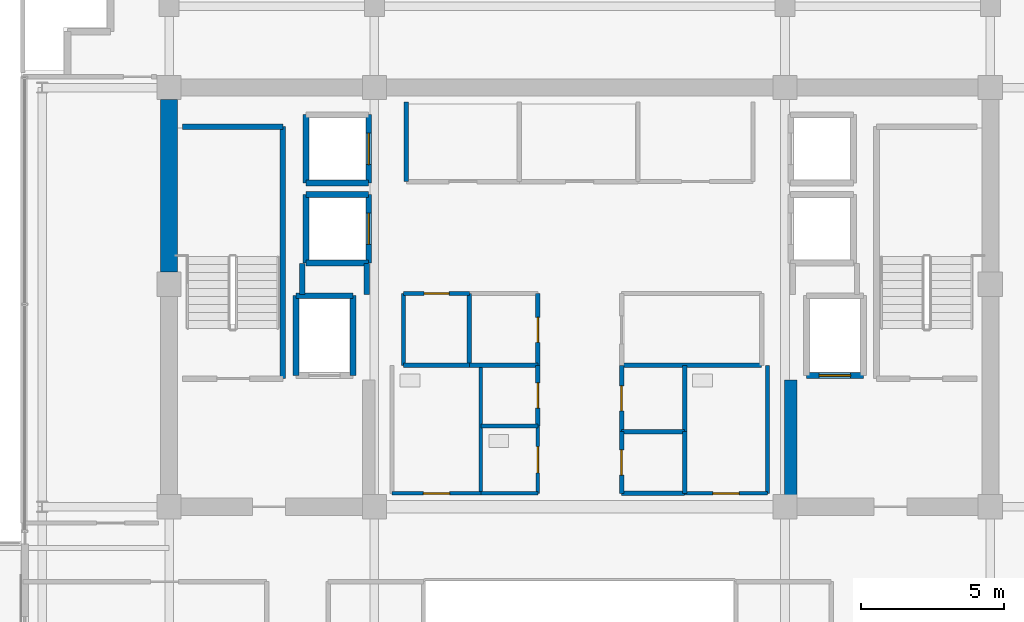
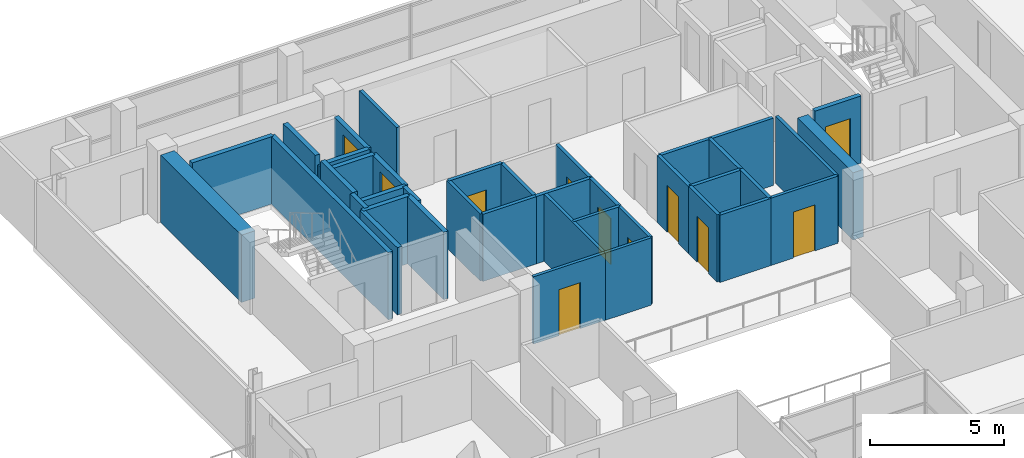
# One storey, part 16 of 21: 39 walls, 11 doors, 11 openings.
"""IFC4 building model written with IfcOpenShell, lengths in metres."""

from ifc_helpers import new_model, si_unit, direction, frame, frame_2d, origin, place, context, subcontext, project, spatial, rectangle, extrude, source, transform, mapped, material, layer, layer_set, type_object, element, fill, save


model = new_model("IFC4")

# Units and contexts
model_context = context("Model", 3, precision=1e-05, world=origin(), true_north=direction((0.0, 1.0)))
body_context = subcontext(model_context, "Body", "Model", "MODEL_VIEW")
ifc_project = project(units=[si_unit("LENGTHUNIT", "METRE"), si_unit("AREAUNIT", "SQUARE_METRE"), si_unit("VOLUMEUNIT", "CUBIC_METRE"), si_unit("PLANEANGLEUNIT", "RADIAN"), si_unit("MASSUNIT", "GRAM", prefix="KILO")], contexts=[model_context])

# Site, building, storey
site_placement = place(None, origin())
site = spatial("IfcSite", under=ifc_project, at=site_placement, CompositionType="ELEMENT")
building_placement = place(site_placement, origin())
building = spatial("IfcBuilding", under=site, at=building_placement, Name="Zarnakvel Exchange Tower", CompositionType="ELEMENT")
storey_placement = place(building_placement, frame((0.0, 0.0, 248.5)))
storey = spatial("IfcBuildingStorey", under=building, at=storey_placement, Name="L70", CompositionType="ELEMENT", Elevation=248.5)

# Walls
ifc_material_1 = material(Name="Concrete C50/60", Category="concrete")
ifc_layer_1 = layer(ifc_material_1, 0.60009765625)
ifc_layer_set_1 = layer_set([ifc_layer_1], Name="Concrete C50/60")
wall_type_1 = type_object("IfcWallType", Name="CW-C5", PredefinedType="SHEAR", material=ifc_layer_set_1)
wall_1_placement = place(storey_placement, frame((-14.39990234375, 7.02490234375, 0.0), z_axis=(0.0, 0.0, 1.0), x_axis=(0.0, 1.0, 0.0)))
element("IfcWall", 1, at=wall_1_placement, inside=storey, type_object=wall_type_1, Name="L70 Rear Core Shear Wall W2 (CW-C5)", PredefinedType="SHEAR", context=body_context, shape_type="SweptSolid", body=[
    extrude(rectangle(XDim=6.050048828125, YDim=0.60009765625, at=frame_2d((3.02490234375, 0.0))), origin(), (0.0, 0.0, 1.0), 3.074951171875),
])
ifc_layer_2 = layer(ifc_material_1, 0.449951171875)
ifc_layer_set_2 = layer_set([ifc_layer_2], Name="Concrete C50/60")
wall_type_2 = type_object("IfcWallType", Name="CW-C6", PredefinedType="SHEAR", material=ifc_layer_set_2)
wall_2_placement = place(storey_placement, frame((7.39990234375, -0.89990234375, 0.0), z_axis=(0.0, 0.0, 1.0), x_axis=(0.0, 1.0, 0.0)))
element("IfcWall", 2, at=wall_2_placement, inside=storey, type_object=wall_type_2, Name="L70 Rear Core Shear Wall IE (CW-C6)", PredefinedType="SHEAR", context=body_context, shape_type="SweptSolid", body=[
    extrude(rectangle(XDim=4.14990234375, YDim=0.449951171875, at=frame_2d((2.074951171875, 0.0))), origin(), (0.0, 0.0, 1.0), 3.074951171875),
])
ifc_material_2 = material(Name="Fire-Rated Gypsum Stud Partition", Category="gypsum")
ifc_layer_3 = layer(ifc_material_2, 0.14990234375)
ifc_layer_set_3 = layer_set([ifc_layer_3], Name="Fire-Rated Gypsum Stud Partition")
wall_type_3 = type_object("IfcWallType", Name="PT-01", PredefinedType="PARTITIONING", material=ifc_layer_set_3)
wall_3_placement = place(storey_placement, frame((-6.080078125, 10.199951171875, 0.0), z_axis=(0.0, 0.0, 1.0), x_axis=(0.0, 1.0, 0.0)))
element("IfcWall", 3, at=wall_3_placement, inside=storey, type_object=wall_type_3, Name="L70 Partition Wall PWALL-L70-012 (PT-01)", PredefinedType="PARTITIONING", context=body_context, shape_type="SweptSolid", body=[
    extrude(rectangle(XDim=2.800048828125, YDim=0.14990234375, at=frame_2d((1.39990234375, 0.0))), origin(), (0.0, 0.0, 1.0), 3.074951171875),
])
wall_4_placement = place(storey_placement, frame((-3.8701171875, 3.760009765625, 0.0), z_axis=(0.0, 0.0, 1.0), x_axis=(-1.0, 0.0, 0.0)))
element("IfcWall", 4, at=wall_4_placement, inside=storey, type_object=wall_type_3, Name="L70 Partition Wall PWALL-L70-018 (PT-01)", PredefinedType="PARTITIONING", context=body_context, shape_type="SweptSolid", body=[
    extrude(rectangle(XDim=2.309814453125, YDim=0.14990234375, at=frame_2d((1.15478515625, 0.0))), origin(), (0.0, 0.0, 1.0), 3.074951171875),
])

# Wall, opening, door
wall_5_placement = place(storey_placement, frame((-6.179931640625, 6.280029296875, 0.0), z_axis=(0.0, 0.0, 1.0), x_axis=(1.0, 0.0, 0.0)))
wall_5 = element("IfcWall", 5, at=wall_5_placement, inside=storey, type_object=wall_type_3, Name="L70 Partition Wall PWALL-L70-019 (PT-01)", PredefinedType="PARTITIONING", context=body_context, shape_type="SweptSolid", body=[
    extrude(rectangle(XDim=2.309814453125, YDim=0.14990234375, at=frame_2d((1.15478515625, 0.0))), origin(), (0.0, 0.0, 1.0), 3.074951171875),
])
opening_1_placement = place(wall_5_placement, frame((0.719970703125, 0.0, 0.0)))
opening_1 = element("IfcOpeningElement", 6, at=opening_1_placement, cuts=wall_5, Name="Opening D-L70-08", PredefinedType="OPENING", context=body_context, shape_type="SweptSolid", body=[
    extrude(rectangle(XDim=0.8798828125, YDim=2.10009765625, at=frame_2d((0.43994140625, 1.050048828125))), frame((0.0, 0.0849609375, 0.0), z_axis=(0.0, -1.0, 0.0), x_axis=(1.0, 0.0, 0.0)), (0.0, 0.0, 1.0), 0.169921875),
])
ifc_material_3 = material(Name="Painted Galvanised Steel S355", Category="steel")
door_type_1 = type_object("IfcDoorType", Name="DT-08", OperationType="NOTDEFINED", PredefinedType="DOOR", material=ifc_material_3)
shared_shape_1 = source(origin(), body_context, "Body", "SweptSolid", [
    extrude(rectangle(XDim=0.8798828125, YDim=2.10009765625, at=frame_2d((0.43994140625, 1.050048828125))), frame((0.0, 0.02490234375, 0.0), z_axis=(0.0, -1.0, 0.0), x_axis=(1.0, 0.0, 0.0)), (0.0, 0.0, 1.0), 0.050048828125),
])
door_1_placement = place(opening_1_placement, origin())
door_1 = element("IfcDoor", 7, at=door_1_placement, inside=storey, type_object=door_type_1, Name="L70 Audit Filing Store Door D-L70-08", OperationType="SINGLE_SWING_RIGHT", OverallHeight=2.10009765625, OverallWidth=0.8798828125, PredefinedType="DOOR", context=body_context, shape_type="MappedRepresentation", body=[
    mapped(shared_shape_1, transform((0.0, 0.0, 0.0), x_axis=(1.0, 0.0, 0.0), y_axis=(0.0, 1.0, 0.0), z_axis=(0.0, 0.0, 1.0), scale=1.0)),
])
fill(opening_1, door_1)

# Walls
for number, where, z_axis, x_axis, name in (
    (8, (-6.179931640625, 3.760009765625, 0.0), (0.0, 0.0, 1.0), (0.0, 1.0, 0.0), "L70 Partition Wall PWALL-L70-020 (PT-01)"),
    (9, (-3.8701171875, 6.280029296875, 0.0), (0.0, 0.0, 1.0), (0.0, -1.0, 0.0), "L70 Partition Wall PWALL-L70-021 (PT-01)"),
):
    element("IfcWall", number, at=place(storey_placement, frame(where, z_axis=z_axis, x_axis=x_axis)), inside=storey, type_object=wall_type_3, Name=name, PredefinedType="PARTITIONING", context=body_context, shape_type="SweptSolid", body=[
        extrude(rectangle(XDim=2.52001953125, YDim=0.14990234375, at=frame_2d((1.260009765625, 0.0))), origin(), (0.0, 0.0, 1.0), 3.074951171875),
    ])
wall_6_placement = place(storey_placement, frame((-1.469970703125, 3.760009765625, 0.0), z_axis=(0.0, 0.0, 1.0), x_axis=(-1.0, 0.0, 0.0)))
element("IfcWall", 10, at=wall_6_placement, inside=storey, type_object=wall_type_3, Name="L70 Partition Wall PWALL-L70-022 (PT-01)", PredefinedType="PARTITIONING", context=body_context, shape_type="SweptSolid", body=[
    extrude(rectangle(XDim=2.400146484375, YDim=0.14990234375, at=frame_2d((1.2001953125, 0.0))), origin(), (0.0, 0.0, 1.0), 3.074951171875),
])

# Wall, opening, door
wall_7_placement = place(storey_placement, frame((-1.469970703125, 6.280029296875, 0.0), z_axis=(0.0, 0.0, 1.0), x_axis=(0.0, -1.0, 0.0)))
wall_7 = element("IfcWall", 11, at=wall_7_placement, inside=storey, type_object=wall_type_3, Name="L70 Partition Wall PWALL-L70-024 (PT-01)", PredefinedType="PARTITIONING", context=body_context, shape_type="SweptSolid", body=[
    extrude(rectangle(XDim=2.52001953125, YDim=0.14990234375, at=frame_2d((1.260009765625, 0.0))), origin(), (0.0, 0.0, 1.0), 3.074951171875),
])
opening_2_placement = place(wall_7_placement, frame((0.840087890625, 0.0, 0.0)))
opening_2 = element("IfcOpeningElement", 12, at=opening_2_placement, cuts=wall_7, Name="Opening D-L70-09", PredefinedType="OPENING", context=body_context, shape_type="SweptSolid", body=[
    extrude(rectangle(XDim=0.8798828125, YDim=2.10009765625, at=frame_2d((0.43994140625, 1.050048828125))), frame((0.0, 0.0849609375, 0.0), z_axis=(0.0, -1.0, 0.0), x_axis=(1.0, 0.0, 0.0)), (0.0, 0.0, 1.0), 0.169921875),
])
door_2_placement = place(opening_2_placement, origin())
door_2 = element("IfcDoor", 13, at=door_2_placement, inside=storey, type_object=door_type_1, Name="L70 Core Records Store Door D-L70-09", OperationType="SINGLE_SWING_LEFT", OverallHeight=2.10009765625, OverallWidth=0.8798828125, PredefinedType="DOOR", context=body_context, shape_type="MappedRepresentation", body=[
    mapped(shared_shape_1, transform((0.0, 0.0, 0.0), x_axis=(1.0, 0.0, 0.0), y_axis=(0.0, 1.0, 0.0), z_axis=(0.0, 0.0, 1.0), scale=1.0)),
])
fill(opening_2, door_2)

# Wall
wall_8_placement = place(storey_placement, frame((6.3798828125, 3.760009765625, 0.0), z_axis=(0.0, 0.0, 1.0), x_axis=(-1.0, 0.0, 0.0)))
element("IfcWall", 14, at=wall_8_placement, inside=storey, type_object=wall_type_3, Name="L70 Partition Wall PWALL-L70-025 (PT-01)", PredefinedType="PARTITIONING", context=body_context, shape_type="SweptSolid", body=[
    extrude(rectangle(XDim=4.909912109375, YDim=0.14990234375, at=frame_2d((2.455078125, 0.0))), origin(), (0.0, 0.0, 1.0), 3.074951171875),
])

# Wall, opening, door
wall_9_placement = place(storey_placement, frame((-1.469970703125, 3.760009765625, 0.0), z_axis=(0.0, 0.0, 1.0), x_axis=(0.0, -1.0, 0.0)))
wall_9 = element("IfcWall", 15, at=wall_9_placement, inside=storey, type_object=wall_type_3, Name="L70 Partition Wall PWALL-L70-035 (PT-01)", PredefinedType="PARTITIONING", context=body_context, shape_type="SweptSolid", body=[
    extrude(rectangle(XDim=2.130126953125, YDim=0.14990234375, at=frame_2d((1.06494140625, 0.0))), origin(), (0.0, 0.0, 1.0), 3.074951171875),
])
opening_3_placement = place(wall_9_placement, frame((0.6201171875, 0.0, 0.0)))
opening_3 = element("IfcOpeningElement", 16, at=opening_3_placement, cuts=wall_9, Name="Opening D-L70-13", PredefinedType="OPENING", context=body_context, shape_type="SweptSolid", body=[
    extrude(rectangle(XDim=0.8798828125, YDim=2.10009765625, at=frame_2d((0.43994140625, 1.050048828125))), frame((0.0, 0.0849609375, 0.0), z_axis=(0.0, -1.0, 0.0), x_axis=(1.0, 0.0, 0.0)), (0.0, 0.0, 1.0), 0.169921875),
])
door_3_placement = place(opening_3_placement, origin())
door_3 = element("IfcDoor", 17, at=door_3_placement, inside=storey, type_object=door_type_1, Name="L70 Core Comms Room Door D-L70-13", OperationType="SINGLE_SWING_LEFT", OverallHeight=2.10009765625, OverallWidth=0.8798828125, PredefinedType="DOOR", context=body_context, shape_type="MappedRepresentation", body=[
    mapped(shared_shape_1, transform((0.0, 0.0, 0.0), x_axis=(1.0, 0.0, 0.0), y_axis=(0.0, 1.0, 0.0), z_axis=(0.0, 0.0, 1.0), scale=1.0)),
])
fill(opening_3, door_3)

# Walls
for number, where, z_axis, x_axis, name in (
    (18, (3.679931640625, -0.72998046875, 0.0), (0.0, 0.0, 1.0), (-1.0, 0.0, 0.0), "L70 Partition Wall PWALL-L70-036 (PT-01)"),
    (19, (1.469970703125, 1.429931640625, 0.0), (0.0, 0.0, 1.0), (1.0, 0.0, 0.0), "L70 Partition Wall PWALL-L70-037 (PT-01)"),
):
    element("IfcWall", number, at=place(storey_placement, frame(where, z_axis=z_axis, x_axis=x_axis)), inside=storey, type_object=wall_type_3, Name=name, PredefinedType="PARTITIONING", context=body_context, shape_type="SweptSolid", body=[
        extrude(rectangle(XDim=2.2099609375, YDim=0.14990234375, at=frame_2d((1.10498046875, 0.0))), origin(), (0.0, 0.0, 1.0), 3.074951171875),
    ])

# Wall, opening, door
wall_10_placement = place(storey_placement, frame((1.469970703125, -0.72998046875, 0.0), z_axis=(0.0, 0.0, 1.0), x_axis=(0.0, 1.0, 0.0)))
wall_10 = element("IfcWall", 20, at=wall_10_placement, inside=storey, type_object=wall_type_3, Name="L70 Partition Wall PWALL-L70-038 (PT-01)", PredefinedType="PARTITIONING", context=body_context, shape_type="SweptSolid", body=[
    extrude(rectangle(XDim=2.159912109375, YDim=0.14990234375, at=frame_2d((1.080078125, 0.0))), origin(), (0.0, 0.0, 1.0), 3.074951171875),
])
opening_4_placement = place(wall_10_placement, frame((0.639892578125, 0.0, 0.0)))
opening_4 = element("IfcOpeningElement", 21, at=opening_4_placement, cuts=wall_10, Name="Opening D-L70-14", PredefinedType="OPENING", context=body_context, shape_type="SweptSolid", body=[
    extrude(rectangle(XDim=0.8798828125, YDim=2.10009765625, at=frame_2d((0.43994140625, 1.050048828125))), frame((0.0, 0.0849609375, 0.0), z_axis=(0.0, -1.0, 0.0), x_axis=(1.0, 0.0, 0.0)), (0.0, 0.0, 1.0), 0.169921875),
])
door_4_placement = place(opening_4_placement, origin())
door_4 = element("IfcDoor", 22, at=door_4_placement, inside=storey, type_object=door_type_1, Name="L70 Janitor Store Door D-L70-14", OperationType="SINGLE_SWING_RIGHT", OverallHeight=2.10009765625, OverallWidth=0.8798828125, PredefinedType="DOOR", context=body_context, shape_type="MappedRepresentation", body=[
    mapped(shared_shape_1, transform((0.0, 0.0, 0.0), x_axis=(1.0, 0.0, 0.0), y_axis=(0.0, 1.0, 0.0), z_axis=(0.0, 0.0, 1.0), scale=1.0)),
])
fill(opening_4, door_4)

# Wall
wall_11_placement = place(storey_placement, frame((3.679931640625, 1.429931640625, 0.0), z_axis=(0.0, 0.0, 1.0), x_axis=(0.0, -1.0, 0.0)))
element("IfcWall", 23, at=wall_11_placement, inside=storey, type_object=wall_type_3, Name="L70 Partition Wall PWALL-L70-039 (PT-01)", PredefinedType="PARTITIONING", context=body_context, shape_type="SweptSolid", body=[
    extrude(rectangle(XDim=2.159912109375, YDim=0.14990234375, at=frame_2d((1.080078125, 0.0))), origin(), (0.0, 0.0, 1.0), 3.074951171875),
])

# Wall, opening, door
wall_12_placement = place(storey_placement, frame((1.469970703125, 1.429931640625, 0.0), z_axis=(0.0, 0.0, 1.0), x_axis=(0.0, 1.0, 0.0)))
wall_12 = element("IfcWall", 24, at=wall_12_placement, inside=storey, type_object=wall_type_3, Name="L70 Partition Wall PWALL-L70-040 (PT-01)", PredefinedType="PARTITIONING", context=body_context, shape_type="SweptSolid", body=[
    extrude(rectangle(XDim=2.330078125, YDim=0.14990234375, at=frame_2d((1.1650390625, 0.0))), origin(), (0.0, 0.0, 1.0), 3.074951171875),
])
opening_5_placement = place(wall_12_placement, frame((0.72998046875, 0.0, 0.0)))
opening_5 = element("IfcOpeningElement", 25, at=opening_5_placement, cuts=wall_12, Name="Opening D-L70-15", PredefinedType="OPENING", context=body_context, shape_type="SweptSolid", body=[
    extrude(rectangle(XDim=0.8798828125, YDim=2.14990234375, at=frame_2d((0.43994140625, 1.074951171875))), frame((0.0, 0.0849609375, 0.0), z_axis=(0.0, -1.0, 0.0), x_axis=(1.0, 0.0, 0.0)), (0.0, 0.0, 1.0), 0.169921875),
])
ifc_material_4 = material(Name="Timber Acoustic Veneer", Category="wood")
door_type_2 = type_object("IfcDoorType", Name="DT-05", OperationType="NOTDEFINED", PredefinedType="DOOR", material=ifc_material_4)
shared_shape_2 = source(origin(), body_context, "Body", "SweptSolid", [
    extrude(rectangle(XDim=0.8798828125, YDim=2.14990234375, at=frame_2d((0.43994140625, 1.074951171875))), frame((0.0, 0.02490234375, 0.0), z_axis=(0.0, -1.0, 0.0), x_axis=(1.0, 0.0, 0.0)), (0.0, 0.0, 1.0), 0.050048828125),
])
door_5_placement = place(opening_5_placement, origin())
door_5 = element("IfcDoor", 26, at=door_5_placement, inside=storey, type_object=door_type_2, Name="L70 Stationery Store Door D-L70-15", OperationType="SINGLE_SWING_LEFT", OverallHeight=2.14990234375, OverallWidth=0.8798828125, PredefinedType="DOOR", context=body_context, shape_type="MappedRepresentation", body=[
    mapped(shared_shape_2, transform((0.0, 0.0, 0.0), x_axis=(1.0, 0.0, 0.0), y_axis=(0.0, 1.0, 0.0), z_axis=(0.0, 0.0, 1.0), scale=1.0)),
])
fill(opening_5, door_5)

# Walls
wall_13_placement = place(storey_placement, frame((3.679931640625, 3.760009765625, 0.0), z_axis=(0.0, 0.0, 1.0), x_axis=(0.0, -1.0, 0.0)))
element("IfcWall", 27, at=wall_13_placement, inside=storey, type_object=wall_type_3, Name="L70 Partition Wall PWALL-L70-041 (PT-01)", PredefinedType="PARTITIONING", context=body_context, shape_type="SweptSolid", body=[
    extrude(rectangle(XDim=2.330078125, YDim=0.14990234375, at=frame_2d((1.1650390625, 0.0))), origin(), (0.0, 0.0, 1.0), 3.074951171875),
])
ifc_layer_4 = layer(ifc_material_2, 0.179931640625)
ifc_layer_set_4 = layer_set([ifc_layer_4], Name="Fire-Rated Gypsum Stud Partition")
wall_type_4 = type_object("IfcWallType", Name="PT-02", PredefinedType="PARTITIONING", material=ifc_layer_set_4)
wall_14_placement = place(storey_placement, frame((-9.72998046875, 6.239990234375, 0.0), z_axis=(0.0, 0.0, 1.0), x_axis=(0.0, 1.0, 0.0)))
element("IfcWall", 28, at=wall_14_placement, inside=storey, type_object=wall_type_4, Name="L70 Partition Wall PWALL-L70-007 (PT-02)", PredefinedType="PARTITIONING", context=body_context, shape_type="SweptSolid", body=[
    extrude(rectangle(XDim=1.090087890625, YDim=0.179931640625, at=frame_2d((0.544921875, 0.0))), origin(), (0.0, 0.0, 1.0), 3.074951171875),
])
wall_15_placement = place(storey_placement, frame((-7.469970703125, 7.330078125, 0.0), z_axis=(0.0, 0.0, 1.0), x_axis=(0.0, -1.0, 0.0)))
element("IfcWall", 29, at=wall_15_placement, inside=storey, type_object=wall_type_4, Name="L70 Partition Wall PWALL-L70-008 (PT-02)", PredefinedType="PARTITIONING", context=body_context, shape_type="SweptSolid", body=[
    extrude(rectangle(XDim=1.090087890625, YDim=0.179931640625, at=frame_2d((0.544921875, 0.0))), origin(), (0.0, 0.0, 1.0), 2.614990234375),
])

# Wall, opening, door
ifc_material_5 = material(Name="Moisture-Resistant Tile-Faced Partition", Category="gypsum")
ifc_layer_5 = layer(ifc_material_5, 0.135009765625)
ifc_layer_set_5 = layer_set([ifc_layer_5], Name="Moisture-Resistant Tile-Faced Partition")
wall_type_5 = type_object("IfcWallType", Name="PT-03", PredefinedType="PARTITIONING", material=ifc_layer_set_5)
wall_16_placement = place(storey_placement, frame((-3.469970703125, -0.72998046875, 0.0), z_axis=(0.0, 0.0, 1.0), x_axis=(-1.0, 0.0, 0.0)))
wall_16 = element("IfcWall", 30, at=wall_16_placement, inside=storey, type_object=wall_type_5, Name="L70 Partition Wall PWALL-L70-029 (PT-03)", PredefinedType="PARTITIONING", context=body_context, shape_type="SweptSolid", body=[
    extrude(rectangle(XDim=3.110107421875, YDim=0.135009765625, at=frame_2d((1.55517578125, 0.0))), origin(), (0.0, 0.0, 1.0), 3.074951171875),
])
opening_6_placement = place(wall_16_placement, frame((1.090087890625, 0.0, 0.0)))
opening_6 = element("IfcOpeningElement", 31, at=opening_6_placement, cuts=wall_16, Name="Opening D-L70-11", PredefinedType="OPENING", context=body_context, shape_type="SweptSolid", body=[
    extrude(rectangle(XDim=0.919921875, YDim=2.10009765625, at=frame_2d((0.4599609375, 1.050048828125))), frame((0.0, 0.077392578125, 0.0), z_axis=(0.0, -1.0, 0.0), x_axis=(1.0, 0.0, 0.0)), (0.0, 0.0, 1.0), 0.155029296875),
])
ifc_material_6 = material(Name="Moisture-Resistant Laminate Timber", Category="wood")
door_type_3 = type_object("IfcDoorType", Name="DT-07", OperationType="NOTDEFINED", PredefinedType="DOOR", material=ifc_material_6)
shared_shape_3 = source(origin(), body_context, "Body", "SweptSolid", [
    extrude(rectangle(XDim=0.919921875, YDim=2.10009765625, at=frame_2d((0.4599609375, 1.050048828125))), frame((0.0, 0.02490234375, 0.0), z_axis=(0.0, -1.0, 0.0), x_axis=(1.0, 0.0, 0.0)), (0.0, 0.0, 1.0), 0.050048828125),
])
door_6_placement = place(opening_6_placement, origin())
door_6 = element("IfcDoor", 32, at=door_6_placement, inside=storey, type_object=door_type_3, Name="L70 Male Toilet Door D-L70-11", OperationType="SINGLE_SWING_LEFT", OverallHeight=2.10009765625, OverallWidth=0.919921875, PredefinedType="DOOR", context=body_context, shape_type="MappedRepresentation", body=[
    mapped(shared_shape_3, transform((0.0, 0.0, 0.0), x_axis=(1.0, 0.0, 0.0), y_axis=(0.0, 1.0, 0.0), z_axis=(0.0, 0.0, 1.0), scale=1.0)),
])
fill(opening_6, door_6)

# Walls
wall_17_placement = place(storey_placement, frame((-3.469970703125, 3.760009765625, 0.0), z_axis=(0.0, 0.0, 1.0), x_axis=(0.0, -1.0, 0.0)))
element("IfcWall", 33, at=wall_17_placement, inside=storey, type_object=wall_type_5, Name="L70 Partition Wall PWALL-L70-031 (PT-03)", PredefinedType="PARTITIONING", context=body_context, shape_type="SweptSolid", body=[
    extrude(rectangle(XDim=4.489990234375, YDim=0.135009765625, at=frame_2d((2.2451171875, 0.0))), origin(), (0.0, 0.0, 1.0), 3.074951171875),
])
for number, where, z_axis, x_axis, name in (
    (34, (-1.469970703125, -0.72998046875, 0.0), (0.0, 0.0, 1.0), (-1.0, 0.0, 0.0), "L70 Partition Wall PWALL-L70-032 (PT-03)"),
    (35, (-3.469970703125, 1.6298828125, 0.0), (0.0, 0.0, 1.0), (1.0, 0.0, 0.0), "L70 Partition Wall PWALL-L70-033 (PT-03)"),
):
    element("IfcWall", number, at=place(storey_placement, frame(where, z_axis=z_axis, x_axis=x_axis)), inside=storey, type_object=wall_type_5, Name=name, PredefinedType="PARTITIONING", context=body_context, shape_type="SweptSolid", body=[
        extrude(rectangle(XDim=2.0, YDim=0.135009765625, at=frame_2d((1.0, 0.0))), origin(), (0.0, 0.0, 1.0), 3.074951171875),
    ])

# Wall, opening, door
wall_18_placement = place(storey_placement, frame((-1.469970703125, 1.6298828125, 0.0), z_axis=(0.0, 0.0, 1.0), x_axis=(0.0, -1.0, 0.0)))
wall_18 = element("IfcWall", 36, at=wall_18_placement, inside=storey, type_object=wall_type_5, Name="L70 Partition Wall PWALL-L70-034 (PT-03)", PredefinedType="PARTITIONING", context=body_context, shape_type="SweptSolid", body=[
    extrude(rectangle(XDim=2.35986328125, YDim=0.135009765625, at=frame_2d((1.179931640625, 0.0))), origin(), (0.0, 0.0, 1.0), 3.074951171875),
])
opening_7_placement = place(wall_18_placement, frame((0.719970703125, 0.0, 0.0)))
opening_7 = element("IfcOpeningElement", 37, at=opening_7_placement, cuts=wall_18, Name="Opening D-L70-12", PredefinedType="OPENING", context=body_context, shape_type="SweptSolid", body=[
    extrude(rectangle(XDim=0.919921875, YDim=2.10009765625, at=frame_2d((0.4599609375, 1.050048828125))), frame((0.0, 0.077392578125, 0.0), z_axis=(0.0, -1.0, 0.0), x_axis=(1.0, 0.0, 0.0)), (0.0, 0.0, 1.0), 0.155029296875),
])
door_7_placement = place(opening_7_placement, origin())
door_7 = element("IfcDoor", 38, at=door_7_placement, inside=storey, type_object=door_type_3, Name="L70 Accessible Toilet Door D-L70-12", OperationType="SINGLE_SWING_RIGHT", OverallHeight=2.10009765625, OverallWidth=0.919921875, PredefinedType="DOOR", context=body_context, shape_type="MappedRepresentation", body=[
    mapped(shared_shape_3, transform((0.0, 0.0, 0.0), x_axis=(1.0, 0.0, 0.0), y_axis=(0.0, 1.0, 0.0), z_axis=(0.0, 0.0, 1.0), scale=1.0)),
])
fill(opening_7, door_7)

wall_19_placement = place(storey_placement, frame((6.580078125, -0.72998046875, 0.0), z_axis=(0.0, 0.0, 1.0), x_axis=(-1.0, 0.0, 0.0)))
wall_19 = element("IfcWall", 39, at=wall_19_placement, inside=storey, type_object=wall_type_5, Name="L70 Partition Wall PWALL-L70-042 (PT-03)", PredefinedType="PARTITIONING", context=body_context, shape_type="SweptSolid", body=[
    extrude(rectangle(XDim=2.900146484375, YDim=0.135009765625, at=frame_2d((1.4501953125, 0.0))), origin(), (0.0, 0.0, 1.0), 3.074951171875),
])
opening_8_placement = place(wall_19_placement, frame((0.989990234375, 0.0, 0.0)))
opening_8 = element("IfcOpeningElement", 40, at=opening_8_placement, cuts=wall_19, Name="Opening D-L70-16", PredefinedType="OPENING", context=body_context, shape_type="SweptSolid", body=[
    extrude(rectangle(XDim=0.919921875, YDim=2.10009765625, at=frame_2d((0.4599609375, 1.050048828125))), frame((0.0, 0.077392578125, 0.0), z_axis=(0.0, -1.0, 0.0), x_axis=(1.0, 0.0, 0.0)), (0.0, 0.0, 1.0), 0.155029296875),
])
door_8_placement = place(opening_8_placement, origin())
door_8 = element("IfcDoor", 41, at=door_8_placement, inside=storey, type_object=door_type_3, Name="L70 Female Toilet Door D-L70-16", OperationType="SINGLE_SWING_RIGHT", OverallHeight=2.10009765625, OverallWidth=0.919921875, PredefinedType="DOOR", context=body_context, shape_type="MappedRepresentation", body=[
    mapped(shared_shape_3, transform((0.0, 0.0, 0.0), x_axis=(1.0, 0.0, 0.0), y_axis=(0.0, 1.0, 0.0), z_axis=(0.0, 0.0, 1.0), scale=1.0)),
])
fill(opening_8, door_8)

# Walls
wall_20_placement = place(storey_placement, frame((6.580078125, 3.760009765625, 0.0), z_axis=(0.0, 0.0, 1.0), x_axis=(0.0, -1.0, 0.0)))
element("IfcWall", 42, at=wall_20_placement, inside=storey, type_object=wall_type_5, Name="L70 Partition Wall PWALL-L70-043 (PT-03)", PredefinedType="PARTITIONING", context=body_context, shape_type="SweptSolid", body=[
    extrude(rectangle(XDim=4.489990234375, YDim=0.135009765625, at=frame_2d((2.2451171875, 0.0))), origin(), (0.0, 0.0, 1.0), 3.074951171875),
])
ifc_material_7 = material(Name="Concrete C40/50", Category="concrete")
ifc_layer_6 = layer(ifc_material_7, 0.199951171875)
ifc_layer_set_6 = layer_set([ifc_layer_6], Name="Concrete C40/50")
wall_type_6 = type_object("IfcWallType", Name="SW-01", PredefinedType="SOLIDWALL", material=ifc_layer_set_6)
wall_21_placement = place(storey_placement, frame((-9.949951171875, 6.199951171875, 0.0), z_axis=(0.0, 0.0, 1.0), x_axis=(1.0, 0.0, 0.0)))
element("IfcWall", 43, at=wall_21_placement, inside=storey, type_object=wall_type_6, Name="L70 FL-01 Hoistway Wall North", PredefinedType="SOLIDWALL", context=body_context, shape_type="SweptSolid", body=[
    extrude(rectangle(XDim=2.0, YDim=0.199951171875, at=frame_2d((1.0, 0.0))), origin(), (0.0, 0.0, 1.0), 3.074951171875),
])
for number, where, z_axis, x_axis, name in (
    (44, (-9.949951171875, 3.39990234375, 0.0), (0.0, 0.0, 1.0), (0.0, 1.0, 0.0), "L70 FL-01 Hoistway Wall West"),
    (45, (-7.949951171875, 6.199951171875, 0.0), (0.0, 0.0, 1.0), (0.0, -1.0, 0.0), "L70 FL-01 Hoistway Wall East"),
):
    element("IfcWall", number, at=place(storey_placement, frame(where, z_axis=z_axis, x_axis=x_axis)), inside=storey, type_object=wall_type_6, Name=name, PredefinedType="SOLIDWALL", context=body_context, shape_type="SweptSolid", body=[
        extrude(rectangle(XDim=2.800048828125, YDim=0.199951171875, at=frame_2d((1.39990234375, 0.0))), origin(), (0.0, 0.0, 1.0), 3.074951171875),
    ])

# Wall, opening, door
wall_22_placement = place(storey_placement, frame((9.949951171875, 3.39990234375, 0.0), z_axis=(0.0, 0.0, 1.0), x_axis=(-1.0, 0.0, 0.0)))
wall_22 = element("IfcWall", 46, at=wall_22_placement, inside=storey, type_object=wall_type_6, Name="L70 FL-02 Hoistway Wall South", PredefinedType="SOLIDWALL", context=body_context, shape_type="SweptSolid", body=[
    extrude(rectangle(XDim=2.0, YDim=0.199951171875, at=frame_2d((1.0, 0.0))), origin(), (0.0, 0.0, 1.0), 3.074951171875),
])
opening_9_placement = place(wall_22_placement, frame((0.449951171875, 0.0, 0.0)))
opening_9 = element("IfcOpeningElement", 47, at=opening_9_placement, cuts=wall_22, Name="Opening LD-FL-02-L70", PredefinedType="OPENING", context=body_context, shape_type="SweptSolid", body=[
    extrude(rectangle(XDim=1.10009765625, YDim=2.199951171875, at=frame_2d((0.550048828125, 1.10009765625))), frame((0.0, 0.10986328125, 0.0), z_axis=(0.0, -1.0, 0.0), x_axis=(1.0, 0.0, 0.0)), (0.0, 0.0, 1.0), 0.219970703125),
])
ifc_material_8 = material(Name="Brushed Stainless Steel", Category="steel")
door_type_4 = type_object("IfcDoorType", Name="LDT-01", OperationType="NOTDEFINED", PredefinedType="DOOR", material=ifc_material_8)
shared_shape_4 = source(origin(), body_context, "Body", "SweptSolid", [
    extrude(rectangle(XDim=1.10009765625, YDim=2.199951171875, at=frame_2d((0.550048828125, 1.10009765625))), frame((0.0, 0.02490234375, 0.0), z_axis=(0.0, -1.0, 0.0), x_axis=(1.0, 0.0, 0.0)), (0.0, 0.0, 1.0), 0.050048828125),
])
door_9_placement = place(opening_9_placement, origin())
door_9 = element("IfcDoor", 48, at=door_9_placement, inside=storey, type_object=door_type_4, Name="L70 FL-02 Lift Landing Door LD-FL-02-L70", OperationType="DOUBLE_DOOR_SLIDING", OverallHeight=2.199951171875, OverallWidth=1.10009765625, PredefinedType="DOOR", context=body_context, shape_type="MappedRepresentation", body=[
    mapped(shared_shape_4, transform((0.0, 0.0, 0.0), x_axis=(1.0, 0.0, 0.0), y_axis=(0.0, 1.0, 0.0), z_axis=(0.0, 0.0, 1.0), scale=1.0)),
])
fill(opening_9, door_9)

# Walls
for number, where, z_axis, x_axis, name in (
    (49, (-7.39990234375, 7.35009765625, 0.0), (0.0, 0.0, 1.0), (-1.0, 0.0, 0.0), "L70 PL-09 Hoistway Wall South"),
    (50, (-9.60009765625, 9.75, 0.0), (0.0, 0.0, 1.0), (1.0, 0.0, 0.0), "L70 PL-09 Hoistway Wall North"),
):
    element("IfcWall", number, at=place(storey_placement, frame(where, z_axis=z_axis, x_axis=x_axis)), inside=storey, type_object=wall_type_6, Name=name, PredefinedType="SOLIDWALL", context=body_context, shape_type="SweptSolid", body=[
        extrude(rectangle(XDim=2.2001953125, YDim=0.199951171875, at=frame_2d((1.10009765625, 0.0))), origin(), (0.0, 0.0, 1.0), 2.614990234375),
    ])
wall_23_placement = place(storey_placement, frame((-9.60009765625, 7.35009765625, 0.0), z_axis=(0.0, 0.0, 1.0), x_axis=(0.0, 1.0, 0.0)))
element("IfcWall", 51, at=wall_23_placement, inside=storey, type_object=wall_type_6, Name="L70 PL-09 Hoistway Wall West", PredefinedType="SOLIDWALL", context=body_context, shape_type="SweptSolid", body=[
    extrude(rectangle(XDim=2.39990234375, YDim=0.199951171875, at=frame_2d((1.199951171875, 0.0))), origin(), (0.0, 0.0, 1.0), 3.074951171875),
])

# Wall, opening, door
wall_24_placement = place(storey_placement, frame((-7.39990234375, 9.75, 0.0), z_axis=(0.0, 0.0, 1.0), x_axis=(0.0, -1.0, 0.0)))
wall_24 = element("IfcWall", 52, at=wall_24_placement, inside=storey, type_object=wall_type_6, Name="L70 PL-09 Hoistway Wall East", PredefinedType="SOLIDWALL", context=body_context, shape_type="SweptSolid", body=[
    extrude(rectangle(XDim=2.39990234375, YDim=0.199951171875, at=frame_2d((1.199951171875, 0.0))), origin(), (0.0, 0.0, 1.0), 2.614990234375),
])
opening_10_placement = place(wall_24_placement, frame((0.64990234375, 0.0, 0.0)))
opening_10 = element("IfcOpeningElement", 53, at=opening_10_placement, cuts=wall_24, Name="Opening LD-PL-09-L70", PredefinedType="OPENING", context=body_context, shape_type="SweptSolid", body=[
    extrude(rectangle(XDim=1.10009765625, YDim=2.199951171875, at=frame_2d((0.550048828125, 1.10009765625))), frame((0.0, 0.10986328125, 0.0), z_axis=(0.0, -1.0, 0.0), x_axis=(1.0, 0.0, 0.0)), (0.0, 0.0, 1.0), 0.219970703125),
])
ifc_material_9 = material(Name="Architectural Bronze Anodised Aluminium", Category="aluminium")
door_type_5 = type_object("IfcDoorType", Name="LDT-02", OperationType="NOTDEFINED", PredefinedType="DOOR", material=ifc_material_9)
door_10_placement = place(opening_10_placement, origin())
door_10 = element("IfcDoor", 54, at=door_10_placement, inside=storey, type_object=door_type_5, Name="L70 PL-09 Lift Landing Door LD-PL-09-L70", OperationType="DOUBLE_DOOR_SLIDING", OverallHeight=2.199951171875, OverallWidth=1.10009765625, PredefinedType="DOOR", context=body_context, shape_type="MappedRepresentation", body=[
    mapped(shared_shape_4, transform((0.0, 0.0, 0.0), x_axis=(1.0, 0.0, 0.0), y_axis=(0.0, 1.0, 0.0), z_axis=(0.0, 0.0, 1.0), scale=1.0)),
])
fill(opening_10, door_10)

# Walls
wall_25_placement = place(storey_placement, frame((-7.39990234375, 10.14990234375, 0.0), z_axis=(0.0, 0.0, 1.0), x_axis=(-1.0, 0.0, 0.0)))
element("IfcWall", 55, at=wall_25_placement, inside=storey, type_object=wall_type_6, Name="L70 PL-10 Hoistway Wall South", PredefinedType="SOLIDWALL", context=body_context, shape_type="SweptSolid", body=[
    extrude(rectangle(XDim=2.2001953125, YDim=0.199951171875, at=frame_2d((1.10009765625, 0.0))), origin(), (0.0, 0.0, 1.0), 2.614990234375),
])
wall_26_placement = place(storey_placement, frame((-9.60009765625, 10.14990234375, 0.0), z_axis=(0.0, 0.0, 1.0), x_axis=(0.0, 1.0, 0.0)))
element("IfcWall", 56, at=wall_26_placement, inside=storey, type_object=wall_type_6, Name="L70 PL-10 Hoistway Wall West", PredefinedType="SOLIDWALL", context=body_context, shape_type="SweptSolid", body=[
    extrude(rectangle(XDim=2.400146484375, YDim=0.199951171875, at=frame_2d((1.2001953125, 0.0))), origin(), (0.0, 0.0, 1.0), 3.074951171875),
])

# Wall, opening, door
wall_27_placement = place(storey_placement, frame((-7.39990234375, 12.550048828125, 0.0), z_axis=(0.0, 0.0, 1.0), x_axis=(0.0, -1.0, 0.0)))
wall_27 = element("IfcWall", 57, at=wall_27_placement, inside=storey, type_object=wall_type_6, Name="L70 PL-10 Hoistway Wall East", PredefinedType="SOLIDWALL", context=body_context, shape_type="SweptSolid", body=[
    extrude(rectangle(XDim=2.400146484375, YDim=0.199951171875, at=frame_2d((1.2001953125, 0.0))), origin(), (0.0, 0.0, 1.0), 2.614990234375),
])
opening_11_placement = place(wall_27_placement, frame((0.64990234375, 0.0, 0.0)))
opening_11 = element("IfcOpeningElement", 58, at=opening_11_placement, cuts=wall_27, Name="Opening LD-PL-10-L70", PredefinedType="OPENING", context=body_context, shape_type="SweptSolid", body=[
    extrude(rectangle(XDim=1.10009765625, YDim=2.199951171875, at=frame_2d((0.550048828125, 1.10009765625))), frame((0.0, 0.10986328125, 0.0), z_axis=(0.0, -1.0, 0.0), x_axis=(1.0, 0.0, 0.0)), (0.0, 0.0, 1.0), 0.219970703125),
])
door_11_placement = place(opening_11_placement, origin())
door_11 = element("IfcDoor", 59, at=door_11_placement, inside=storey, type_object=door_type_5, Name="L70 PL-10 Lift Landing Door LD-PL-10-L70", OperationType="DOUBLE_DOOR_SLIDING", OverallHeight=2.199951171875, OverallWidth=1.10009765625, PredefinedType="DOOR", context=body_context, shape_type="MappedRepresentation", body=[
    mapped(shared_shape_4, transform((0.0, 0.0, 0.0), x_axis=(1.0, 0.0, 0.0), y_axis=(0.0, 1.0, 0.0), z_axis=(0.0, 0.0, 1.0), scale=1.0)),
])
fill(opening_11, door_11)

# Walls
ifc_layer_7 = layer(ifc_material_7, 0.199951171875)
ifc_layer_set_7 = layer_set([ifc_layer_7], Name="Concrete C40/50")
wall_type_7 = type_object("IfcWallType", Name="SW-02", PredefinedType="SOLIDWALL", material=ifc_layer_set_7)
wall_28_placement = place(storey_placement, frame((-13.929931640625, 12.1298828125, 0.0), z_axis=(0.0, 0.0, 1.0), x_axis=(1.0, 0.0, 0.0)))
element("IfcWall", 60, at=wall_28_placement, inside=storey, type_object=wall_type_7, Name="L70 Stairwell Core Wall PWALL-L70-002 (SW-02)", PredefinedType="SOLIDWALL", context=body_context, shape_type="SweptSolid", body=[
    extrude(rectangle(XDim=3.52001953125, YDim=0.199951171875, at=frame_2d((1.760009765625, 0.0))), origin(), (0.0, 0.0, 1.0), 3.074951171875),
])
wall_29_placement = place(storey_placement, frame((-10.409912109375, 12.1298828125, 0.0), z_axis=(0.0, 0.0, 1.0), x_axis=(0.0, -1.0, 0.0)))
element("IfcWall", 61, at=wall_29_placement, inside=storey, type_object=wall_type_7, Name="L70 Stairwell Core Wall PWALL-L70-003 (SW-02)", PredefinedType="SOLIDWALL", context=body_context, shape_type="SweptSolid", body=[
    extrude(rectangle(XDim=8.83984375, YDim=0.199951171875, at=frame_2d((4.419921875, 0.0))), origin(), (0.0, 0.0, 1.0), 3.074951171875),
])

save(model, "model.ifc")
